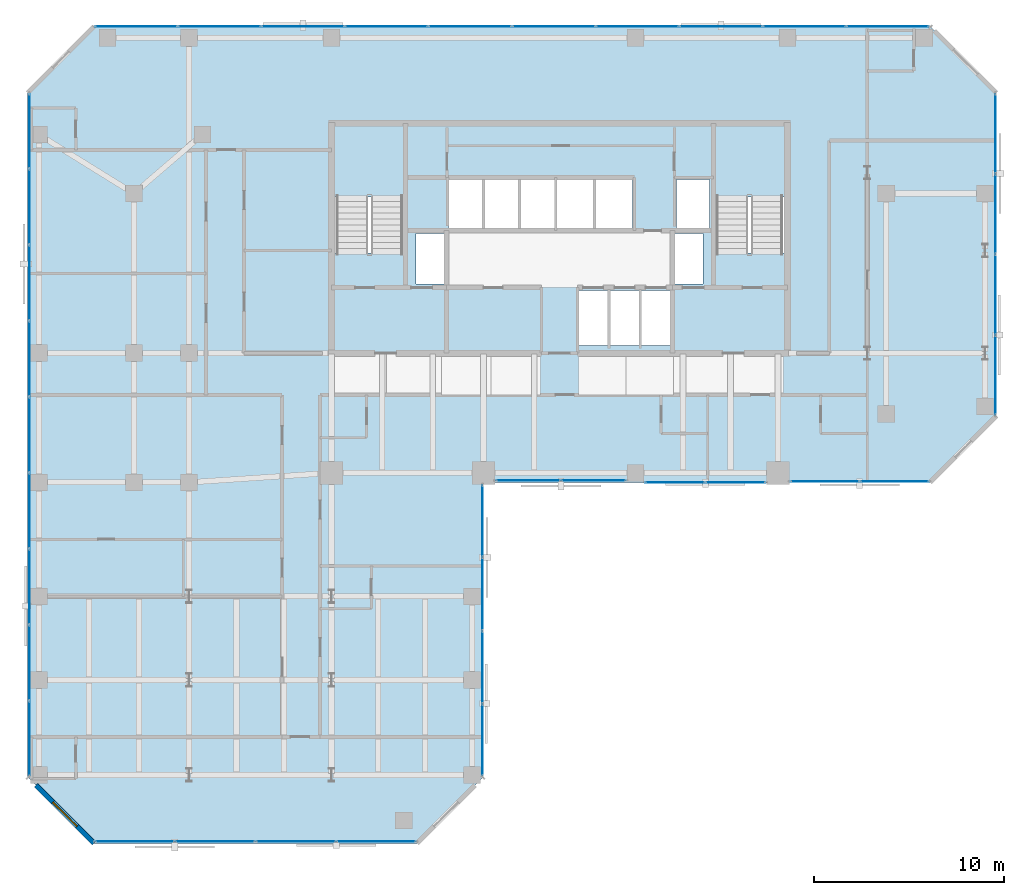
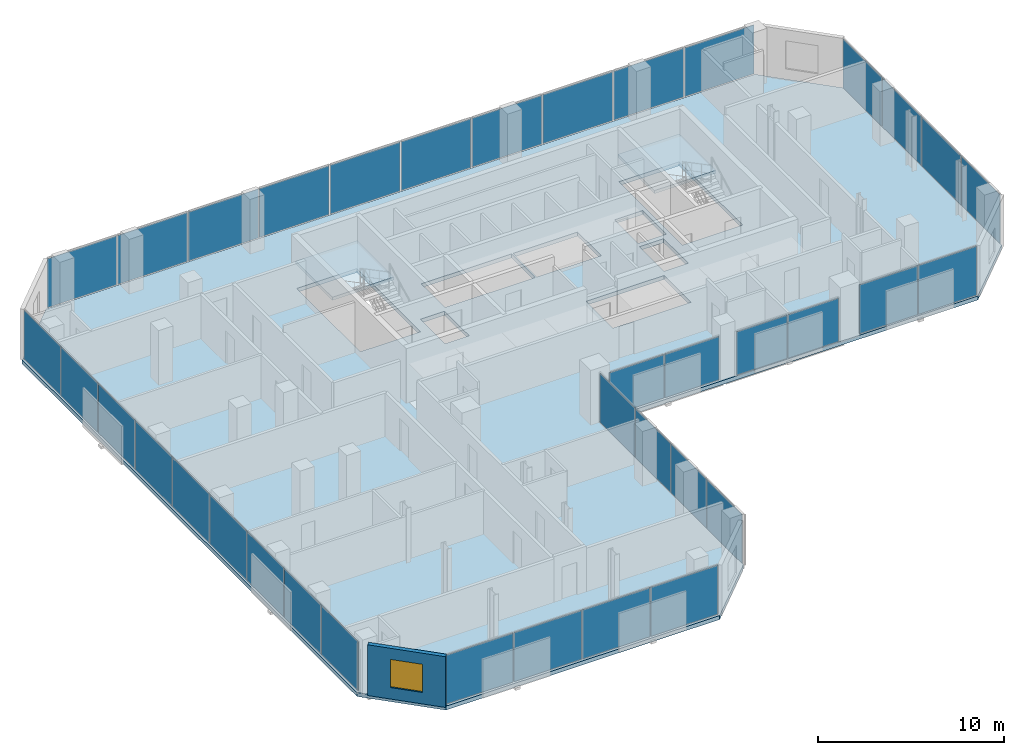
# One storey, part 27 of 33: 37 plates, 3 slabs, 1 wall, 1 window, 1 opening, 10 elements without a shape of their own.
"""IFC4 building model written with IfcOpenShell, lengths in metres."""

from ifc_helpers import new_model, si_unit, direction, frame, frame_2d, origin, origin_2d, place, context, subcontext, project, spatial, polyline, rectangle, outline, extrude, material, layer, layer_set, type_object, element, fill, aggregate, save


model = new_model("IFC4")

# Units and contexts
model_context = context("Model", 3, precision=1e-05, world=origin(), true_north=direction((0.0, 1.0)))
body_context = subcontext(model_context, "Body", "Model", "MODEL_VIEW")
ifc_project = project(units=[si_unit("LENGTHUNIT", "METRE"), si_unit("AREAUNIT", "SQUARE_METRE"), si_unit("VOLUMEUNIT", "CUBIC_METRE"), si_unit("PLANEANGLEUNIT", "RADIAN"), si_unit("MASSUNIT", "GRAM", prefix="KILO")], contexts=[model_context])

# Site, building, storey
site_placement = place(None, origin())
site = spatial("IfcSite", under=ifc_project, at=site_placement, CompositionType="ELEMENT")
building_placement = place(site_placement, origin())
building = spatial("IfcBuilding", under=site, at=building_placement, Name="Catumbela Crestline Tower", CompositionType="ELEMENT")
storey_placement = place(building_placement, frame((0.0, 0.0, 108.0)))
storey = spatial("IfcBuildingStorey", under=building, at=storey_placement, Name="L27", CompositionType="ELEMENT", Elevation=108.0)

# Curtain wall, plates
ifc_material_1 = material(Name="Aluminium alloy AW-6060-T66", Category="aluminium")
ifc_layer_1 = layer(ifc_material_1, 0.18, Name="Aluminium alloy AW-6060-T66")
ifc_layer_set_1 = layer_set([ifc_layer_1], Name="Aluminium alloy AW-6060-T66")
curtain_wall_type = type_object("IfcCurtainWallType", Name="CWU-Z2", PredefinedType="USERDEFINED", material=ifc_layer_set_1)
curtain_wall_1_placement = place(storey_placement, origin())
curtain_wall_1 = element("IfcCurtainWall", 1, at=curtain_wall_1_placement, inside=storey, type_object=curtain_wall_type, Name="L27 Unitised Curtain Wall CW-L27-E0S1", ObjectType="UNITISED", PredefinedType="USERDEFINED")
ifc_material_2 = material(Name="Low-E laminated solar-control double glazing", Category="glass")
ifc_layer_2 = layer(ifc_material_2, 0.036, Name="Low-E laminated solar-control double glazing")
ifc_layer_set_2 = layer_set([ifc_layer_2], Name="Low-E laminated solar-control double glazing")
plate_type = type_object("IfcPlateType", Name="PNL-GLZ-Z2", PredefinedType="CURTAIN_PANEL", material=ifc_layer_set_2)
plate_1_placement = place(storey_placement, frame((5.6412, 5.1, 0.06), z_axis=(0.0, 0.0, 1.0), x_axis=(1.0, 0.0, 0.0)))
plate_1 = element("IfcPlate", 2, at=plate_1_placement, type_object=plate_type, Name="CWU-Z2 panel 1.1", PredefinedType="CURTAIN_PANEL", context=body_context, shape_type="SweptSolid", body=[
    extrude(rectangle(XDim=4.1525, YDim=0.034, at=origin_2d()), origin(), (0.0, 0.0, 1.0), 3.21),
])
plate_2_placement = place(storey_placement, frame((9.875, 5.1, 0.06), z_axis=(0.0, 0.0, 1.0), x_axis=(1.0, 0.0, 0.0)))
plate_2 = element("IfcPlate", 3, at=plate_2_placement, type_object=plate_type, Name="CWU-Z2 panel 2.1", PredefinedType="CURTAIN_PANEL", context=body_context, shape_type="SweptSolid", body=[
    extrude(rectangle(XDim=4.185, YDim=0.034, at=origin_2d()), origin(), (0.0, 0.0, 1.0), 3.21),
])
plate_3_placement = place(storey_placement, frame((14.125, 5.1, 0.06), z_axis=(0.0, 0.0, 1.0), x_axis=(1.0, 0.0, 0.0)))
plate_3 = element("IfcPlate", 4, at=plate_3_placement, type_object=plate_type, Name="CWU-Z2 panel 3.1", PredefinedType="CURTAIN_PANEL", context=body_context, shape_type="SweptSolid", body=[
    extrude(rectangle(XDim=4.185, YDim=0.034, at=origin_2d()), origin(), (0.0, 0.0, 1.0), 3.21),
])
plate_4_placement = place(storey_placement, frame((18.3588, 5.1, 0.06), z_axis=(0.0, 0.0, 1.0), x_axis=(1.0, 0.0, 0.0)))
plate_4 = element("IfcPlate", 5, at=plate_4_placement, type_object=plate_type, Name="CWU-Z2 panel 4.1", PredefinedType="CURTAIN_PANEL", context=body_context, shape_type="SweptSolid", body=[
    extrude(rectangle(XDim=4.1525, YDim=0.034, at=origin_2d()), origin(), (0.0, 0.0, 1.0), 3.21),
])
aggregate(curtain_wall_1, [plate_1, plate_2, plate_3, plate_4])

curtain_wall_2_placement = place(storey_placement, origin())
curtain_wall_2 = element("IfcCurtainWall", 6, at=curtain_wall_2_placement, inside=storey, type_object=curtain_wall_type, Name="L27 Unitised Curtain Wall CW-L27-E2S1", ObjectType="UNITISED", PredefinedType="USERDEFINED")
plate_5_placement = place(storey_placement, frame((23.95, 10.4412, 0.06), z_axis=(0.0, 0.0, 1.0), x_axis=(0.0, 1.0, 0.0)))
plate_5 = element("IfcPlate", 7, at=plate_5_placement, type_object=plate_type, Name="CWU-Z2 panel 1.1", PredefinedType="CURTAIN_PANEL", context=body_context, shape_type="SweptSolid", body=[
    extrude(rectangle(XDim=3.7525, YDim=0.034, at=origin_2d()), origin(), (0.0, 0.0, 1.0), 3.21),
])
plate_6_placement = place(storey_placement, frame((23.95, 14.275, 0.06), z_axis=(0.0, 0.0, 1.0), x_axis=(0.0, 1.0, 0.0)))
plate_6 = element("IfcPlate", 8, at=plate_6_placement, type_object=plate_type, Name="CWU-Z2 panel 2.1", PredefinedType="CURTAIN_PANEL", context=body_context, shape_type="SweptSolid", body=[
    extrude(rectangle(XDim=3.785, YDim=0.034, at=origin_2d()), origin(), (0.0, 0.0, 1.0), 3.21),
])
plate_7_placement = place(storey_placement, frame((23.95, 18.125, 0.06), z_axis=(0.0, 0.0, 1.0), x_axis=(0.0, 1.0, 0.0)))
plate_7 = element("IfcPlate", 9, at=plate_7_placement, type_object=plate_type, Name="CWU-Z2 panel 3.1", PredefinedType="CURTAIN_PANEL", context=body_context, shape_type="SweptSolid", body=[
    extrude(rectangle(XDim=3.785, YDim=0.034, at=origin_2d()), origin(), (0.0, 0.0, 1.0), 3.21),
])
plate_8_placement = place(storey_placement, frame((23.95, 21.9587, 0.06), z_axis=(0.0, 0.0, 1.0), x_axis=(0.0, 1.0, 0.0)))
plate_8 = element("IfcPlate", 10, at=plate_8_placement, type_object=plate_type, Name="CWU-Z2 panel 4.1", PredefinedType="CURTAIN_PANEL", context=body_context, shape_type="SweptSolid", body=[
    extrude(rectangle(XDim=3.7525, YDim=0.034, at=origin_2d()), origin(), (0.0, 0.0, 1.0), 3.21),
])
aggregate(curtain_wall_2, [plate_5, plate_6, plate_7, plate_8])

curtain_wall_3_placement = place(storey_placement, origin())
curtain_wall_3 = element("IfcCurtainWall", 11, at=curtain_wall_3_placement, inside=storey, type_object=curtain_wall_type, Name="L27 Unitised Curtain Wall CW-L27-E3S1", ObjectType="UNITISED", PredefinedType="USERDEFINED")
plate_9_placement = place(storey_placement, frame((26.3538, 24.1, 0.06), z_axis=(0.0, 0.0, 1.0), x_axis=(1.0, 0.0, 0.0)))
plate_9 = element("IfcPlate", 12, at=plate_9_placement, type_object=plate_type, Name="CWU-Z2 panel 1.1", PredefinedType="CURTAIN_PANEL", context=body_context, shape_type="SweptSolid", body=[
    extrude(rectangle(XDim=3.3775, YDim=0.034, at=origin_2d()), origin(), (0.0, 0.0, 1.0), 2.84),
])
plate_10_placement = place(storey_placement, frame((29.7962, 24.1, 0.06), z_axis=(0.0, 0.0, 1.0), x_axis=(1.0, 0.0, 0.0)))
plate_10 = element("IfcPlate", 13, at=plate_10_placement, type_object=plate_type, Name="CWU-Z2 panel 2.1", PredefinedType="CURTAIN_PANEL", context=body_context, shape_type="SweptSolid", body=[
    extrude(rectangle(XDim=3.3775, YDim=0.034, at=origin_2d()), origin(), (0.0, 0.0, 1.0), 2.84),
])
aggregate(curtain_wall_3, [plate_9, plate_10])

curtain_wall_4_placement = place(storey_placement, origin())
curtain_wall_4 = element("IfcCurtainWall", 14, at=curtain_wall_4_placement, inside=storey, type_object=curtain_wall_type, Name="L27 Unitised Curtain Wall CW-L27-E3S2", ObjectType="UNITISED", PredefinedType="USERDEFINED")
plate_11_placement = place(storey_placement, frame((34.0788, 24.0, 0.06), z_axis=(0.0, 0.0, 1.0), x_axis=(1.0, 0.0, 0.0)))
plate_11 = element("IfcPlate", 15, at=plate_11_placement, type_object=plate_type, Name="CWU-Z2 panel 1.1", PredefinedType="CURTAIN_PANEL", context=body_context, shape_type="SweptSolid", body=[
    extrude(rectangle(XDim=3.1275, YDim=0.034, at=origin_2d()), origin(), (0.0, 0.0, 1.0), 2.84),
])
plate_12_placement = place(storey_placement, frame((37.2712, 24.0, 0.06), z_axis=(0.0, 0.0, 1.0), x_axis=(1.0, 0.0, 0.0)))
plate_12 = element("IfcPlate", 16, at=plate_12_placement, type_object=plate_type, Name="CWU-Z2 panel 2.1", PredefinedType="CURTAIN_PANEL", context=body_context, shape_type="SweptSolid", body=[
    extrude(rectangle(XDim=3.1275, YDim=0.034, at=origin_2d()), origin(), (0.0, 0.0, 1.0), 2.84),
])
aggregate(curtain_wall_4, [plate_11, plate_12])

curtain_wall_5_placement = place(storey_placement, origin())
curtain_wall_5 = element("IfcCurtainWall", 17, at=curtain_wall_5_placement, inside=storey, type_object=curtain_wall_type, Name="L27 Unitised Curtain Wall CW-L27-E3S3", ObjectType="UNITISED", PredefinedType="USERDEFINED")
plate_13_placement = place(storey_placement, frame((41.9662, 24.05, 0.06), z_axis=(0.0, 0.0, 1.0), x_axis=(1.0, 0.0, 0.0)))
plate_13 = element("IfcPlate", 18, at=plate_13_placement, type_object=plate_type, Name="CWU-Z2 panel 1.1", PredefinedType="CURTAIN_PANEL", context=body_context, shape_type="SweptSolid", body=[
    extrude(rectangle(XDim=3.6025, YDim=0.034, at=origin_2d()), origin(), (0.0, 0.0, 1.0), 3.21),
])
plate_14_placement = place(storey_placement, frame((45.6338, 24.05, 0.06), z_axis=(0.0, 0.0, 1.0), x_axis=(1.0, 0.0, 0.0)))
plate_14 = element("IfcPlate", 19, at=plate_14_placement, type_object=plate_type, Name="CWU-Z2 panel 2.1", PredefinedType="CURTAIN_PANEL", context=body_context, shape_type="SweptSolid", body=[
    extrude(rectangle(XDim=3.6025, YDim=0.034, at=origin_2d()), origin(), (0.0, 0.0, 1.0), 3.21),
])
aggregate(curtain_wall_5, [plate_13, plate_14])

curtain_wall_6_placement = place(storey_placement, origin())
curtain_wall_6 = element("IfcCurtainWall", 20, at=curtain_wall_6_placement, inside=storey, type_object=curtain_wall_type, Name="L27 Unitised Curtain Wall CW-L27-E5S1", ObjectType="UNITISED", PredefinedType="USERDEFINED")
plate_15_placement = place(storey_placement, frame((50.95, 29.6412, 0.06), z_axis=(0.0, 0.0, 1.0), x_axis=(0.0, 1.0, 0.0)))
plate_15 = element("IfcPlate", 21, at=plate_15_placement, type_object=plate_type, Name="CWU-Z2 panel 1.1", PredefinedType="CURTAIN_PANEL", context=body_context, shape_type="SweptSolid", body=[
    extrude(rectangle(XDim=4.1525, YDim=0.034, at=origin_2d()), origin(), (0.0, 0.0, 1.0), 3.21),
])
plate_16_placement = place(storey_placement, frame((50.95, 33.875, 0.06), z_axis=(0.0, 0.0, 1.0), x_axis=(0.0, 1.0, 0.0)))
plate_16 = element("IfcPlate", 22, at=plate_16_placement, type_object=plate_type, Name="CWU-Z2 panel 2.1", PredefinedType="CURTAIN_PANEL", context=body_context, shape_type="SweptSolid", body=[
    extrude(rectangle(XDim=4.185, YDim=0.034, at=origin_2d()), origin(), (0.0, 0.0, 1.0), 3.21),
])
plate_17_placement = place(storey_placement, frame((50.95, 38.125, 0.06), z_axis=(0.0, 0.0, 1.0), x_axis=(0.0, 1.0, 0.0)))
plate_17 = element("IfcPlate", 23, at=plate_17_placement, type_object=plate_type, Name="CWU-Z2 panel 3.1", PredefinedType="CURTAIN_PANEL", context=body_context, shape_type="SweptSolid", body=[
    extrude(rectangle(XDim=4.185, YDim=0.034, at=origin_2d()), origin(), (0.0, 0.0, 1.0), 3.21),
])
plate_18_placement = place(storey_placement, frame((50.95, 42.3588, 0.06), z_axis=(0.0, 0.0, 1.0), x_axis=(0.0, 1.0, 0.0)))
plate_18 = element("IfcPlate", 24, at=plate_18_placement, type_object=plate_type, Name="CWU-Z2 panel 4.1", PredefinedType="CURTAIN_PANEL", context=body_context, shape_type="SweptSolid", body=[
    extrude(rectangle(XDim=4.1525, YDim=0.034, at=origin_2d()), origin(), (0.0, 0.0, 1.0), 3.21),
])
aggregate(curtain_wall_6, [plate_15, plate_16, plate_17, plate_18])

curtain_wall_7_placement = place(storey_placement, origin())
curtain_wall_7 = element("IfcCurtainWall", 25, at=curtain_wall_7_placement, inside=storey, type_object=curtain_wall_type, Name="L27 Unitised Curtain Wall CW-L27-E7S1", ObjectType="UNITISED", PredefinedType="USERDEFINED")
plate_19_placement = place(storey_placement, frame((45.2838, 48.0, 0.06), z_axis=(0.0, 0.0, 1.0), x_axis=(-1.0, 0.0, 0.0)))
plate_19 = element("IfcPlate", 26, at=plate_19_placement, type_object=plate_type, Name="CWU-Z2 panel 1.1", PredefinedType="CURTAIN_PANEL", context=body_context, shape_type="SweptSolid", body=[
    extrude(rectangle(XDim=4.3025, YDim=0.034, at=origin_2d()), origin(), (0.0, 0.0, 1.0), 3.21),
])
plate_20_placement = place(storey_placement, frame((40.9, 48.0, 0.06), z_axis=(0.0, 0.0, 1.0), x_axis=(-1.0, 0.0, 0.0)))
plate_20 = element("IfcPlate", 27, at=plate_20_placement, type_object=plate_type, Name="CWU-Z2 panel 2.1", PredefinedType="CURTAIN_PANEL", context=body_context, shape_type="SweptSolid", body=[
    extrude(rectangle(XDim=4.335, YDim=0.034, at=origin_2d()), origin(), (0.0, 0.0, 1.0), 3.21),
])
plate_21_placement = place(storey_placement, frame((36.5, 48.0, 0.06), z_axis=(0.0, 0.0, 1.0), x_axis=(-1.0, 0.0, 0.0)))
plate_21 = element("IfcPlate", 28, at=plate_21_placement, type_object=plate_type, Name="CWU-Z2 panel 3.1", PredefinedType="CURTAIN_PANEL", context=body_context, shape_type="SweptSolid", body=[
    extrude(rectangle(XDim=4.335, YDim=0.034, at=origin_2d()), origin(), (0.0, 0.0, 1.0), 3.21),
])
plate_22_placement = place(storey_placement, frame((32.1, 48.0, 0.06), z_axis=(0.0, 0.0, 1.0), x_axis=(-1.0, 0.0, 0.0)))
plate_22 = element("IfcPlate", 29, at=plate_22_placement, type_object=plate_type, Name="CWU-Z2 panel 4.1", PredefinedType="CURTAIN_PANEL", context=body_context, shape_type="SweptSolid", body=[
    extrude(rectangle(XDim=4.335, YDim=0.034, at=origin_2d()), origin(), (0.0, 0.0, 1.0), 3.21),
])
plate_23_placement = place(storey_placement, frame((27.7, 48.0, 0.06), z_axis=(0.0, 0.0, 1.0), x_axis=(-1.0, 0.0, 0.0)))
plate_23 = element("IfcPlate", 30, at=plate_23_placement, type_object=plate_type, Name="CWU-Z2 panel 5.1", PredefinedType="CURTAIN_PANEL", context=body_context, shape_type="SweptSolid", body=[
    extrude(rectangle(XDim=4.335, YDim=0.034, at=origin_2d()), origin(), (0.0, 0.0, 1.0), 3.21),
])
plate_24_placement = place(storey_placement, frame((23.3, 48.0, 0.06), z_axis=(0.0, 0.0, 1.0), x_axis=(-1.0, 0.0, 0.0)))
plate_24 = element("IfcPlate", 31, at=plate_24_placement, type_object=plate_type, Name="CWU-Z2 panel 6.1", PredefinedType="CURTAIN_PANEL", context=body_context, shape_type="SweptSolid", body=[
    extrude(rectangle(XDim=4.335, YDim=0.034, at=origin_2d()), origin(), (0.0, 0.0, 1.0), 3.21),
])
plate_25_placement = place(storey_placement, frame((18.9, 48.0, 0.06), z_axis=(0.0, 0.0, 1.0), x_axis=(-1.0, 0.0, 0.0)))
plate_25 = element("IfcPlate", 32, at=plate_25_placement, type_object=plate_type, Name="CWU-Z2 panel 7.1", PredefinedType="CURTAIN_PANEL", context=body_context, shape_type="SweptSolid", body=[
    extrude(rectangle(XDim=4.335, YDim=0.034, at=origin_2d()), origin(), (0.0, 0.0, 1.0), 3.21),
])
plate_26_placement = place(storey_placement, frame((14.5, 48.0, 0.06), z_axis=(0.0, 0.0, 1.0), x_axis=(-1.0, 0.0, 0.0)))
plate_26 = element("IfcPlate", 33, at=plate_26_placement, type_object=plate_type, Name="CWU-Z2 panel 8.1", PredefinedType="CURTAIN_PANEL", context=body_context, shape_type="SweptSolid", body=[
    extrude(rectangle(XDim=4.335, YDim=0.034, at=origin_2d()), origin(), (0.0, 0.0, 1.0), 3.21),
])
plate_27_placement = place(storey_placement, frame((10.1, 48.0, 0.06), z_axis=(0.0, 0.0, 1.0), x_axis=(-1.0, 0.0, 0.0)))
plate_27 = element("IfcPlate", 34, at=plate_27_placement, type_object=plate_type, Name="CWU-Z2 panel 9.1", PredefinedType="CURTAIN_PANEL", context=body_context, shape_type="SweptSolid", body=[
    extrude(rectangle(XDim=4.335, YDim=0.034, at=origin_2d()), origin(), (0.0, 0.0, 1.0), 3.21),
])
plate_28_placement = place(storey_placement, frame((5.7162, 48.0, 0.06), z_axis=(0.0, 0.0, 1.0), x_axis=(-1.0, 0.0, 0.0)))
plate_28 = element("IfcPlate", 35, at=plate_28_placement, type_object=plate_type, Name="CWU-Z2 panel 10.1", PredefinedType="CURTAIN_PANEL", context=body_context, shape_type="SweptSolid", body=[
    extrude(rectangle(XDim=4.3025, YDim=0.034, at=origin_2d()), origin(), (0.0, 0.0, 1.0), 3.21),
])
aggregate(curtain_wall_7, [plate_19, plate_20, plate_21, plate_22, plate_23, plate_24, plate_25, plate_26, plate_27, plate_28])

curtain_wall_8_placement = place(storey_placement, origin())
curtain_wall_8 = element("IfcCurtainWall", 36, at=curtain_wall_8_placement, inside=storey, type_object=curtain_wall_type, Name="L27 Unitised Curtain Wall CW-L27-E9S1", ObjectType="UNITISED", PredefinedType="USERDEFINED")
plate_29_placement = place(storey_placement, frame((0.1, 42.4838, 0.06), z_axis=(0.0, 0.0, 1.0), x_axis=(0.0, -1.0, 0.0)))
plate_29 = element("IfcPlate", 37, at=plate_29_placement, type_object=plate_type, Name="CWU-Z2 panel 1.1", PredefinedType="CURTAIN_PANEL", context=body_context, shape_type="SweptSolid", body=[
    extrude(rectangle(XDim=3.9025, YDim=0.034, at=origin_2d()), origin(), (0.0, 0.0, 1.0), 3.21),
])
plate_30_placement = place(storey_placement, frame((0.1, 38.5, 0.06), z_axis=(0.0, 0.0, 1.0), x_axis=(0.0, -1.0, 0.0)))
plate_30 = element("IfcPlate", 38, at=plate_30_placement, type_object=plate_type, Name="CWU-Z2 panel 2.1", PredefinedType="CURTAIN_PANEL", context=body_context, shape_type="SweptSolid", body=[
    extrude(rectangle(XDim=3.935, YDim=0.034, at=origin_2d()), origin(), (0.0, 0.0, 1.0), 3.21),
])
plate_31_placement = place(storey_placement, frame((0.1, 34.5, 0.06), z_axis=(0.0, 0.0, 1.0), x_axis=(0.0, -1.0, 0.0)))
plate_31 = element("IfcPlate", 39, at=plate_31_placement, type_object=plate_type, Name="CWU-Z2 panel 3.1", PredefinedType="CURTAIN_PANEL", context=body_context, shape_type="SweptSolid", body=[
    extrude(rectangle(XDim=3.935, YDim=0.034, at=origin_2d()), origin(), (0.0, 0.0, 1.0), 3.21),
])
plate_32_placement = place(storey_placement, frame((0.1, 30.5, 0.06), z_axis=(0.0, 0.0, 1.0), x_axis=(0.0, -1.0, 0.0)))
plate_32 = element("IfcPlate", 40, at=plate_32_placement, type_object=plate_type, Name="CWU-Z2 panel 4.1", PredefinedType="CURTAIN_PANEL", context=body_context, shape_type="SweptSolid", body=[
    extrude(rectangle(XDim=3.935, YDim=0.034, at=origin_2d()), origin(), (0.0, 0.0, 1.0), 3.21),
])
plate_33_placement = place(storey_placement, frame((0.1, 26.5, 0.06), z_axis=(0.0, 0.0, 1.0), x_axis=(0.0, -1.0, 0.0)))
plate_33 = element("IfcPlate", 41, at=plate_33_placement, type_object=plate_type, Name="CWU-Z2 panel 5.1", PredefinedType="CURTAIN_PANEL", context=body_context, shape_type="SweptSolid", body=[
    extrude(rectangle(XDim=3.935, YDim=0.034, at=origin_2d()), origin(), (0.0, 0.0, 1.0), 3.21),
])
plate_34_placement = place(storey_placement, frame((0.1, 22.5, 0.06), z_axis=(0.0, 0.0, 1.0), x_axis=(0.0, -1.0, 0.0)))
plate_34 = element("IfcPlate", 42, at=plate_34_placement, type_object=plate_type, Name="CWU-Z2 panel 6.1", PredefinedType="CURTAIN_PANEL", context=body_context, shape_type="SweptSolid", body=[
    extrude(rectangle(XDim=3.935, YDim=0.034, at=origin_2d()), origin(), (0.0, 0.0, 1.0), 3.21),
])
plate_35_placement = place(storey_placement, frame((0.1, 18.5, 0.06), z_axis=(0.0, 0.0, 1.0), x_axis=(0.0, -1.0, 0.0)))
plate_35 = element("IfcPlate", 43, at=plate_35_placement, type_object=plate_type, Name="CWU-Z2 panel 7.1", PredefinedType="CURTAIN_PANEL", context=body_context, shape_type="SweptSolid", body=[
    extrude(rectangle(XDim=3.935, YDim=0.034, at=origin_2d()), origin(), (0.0, 0.0, 1.0), 3.21),
])
plate_36_placement = place(storey_placement, frame((0.1, 14.5, 0.06), z_axis=(0.0, 0.0, 1.0), x_axis=(0.0, -1.0, 0.0)))
plate_36 = element("IfcPlate", 44, at=plate_36_placement, type_object=plate_type, Name="CWU-Z2 panel 8.1", PredefinedType="CURTAIN_PANEL", context=body_context, shape_type="SweptSolid", body=[
    extrude(rectangle(XDim=3.935, YDim=0.034, at=origin_2d()), origin(), (0.0, 0.0, 1.0), 3.21),
])
plate_37_placement = place(storey_placement, frame((0.1, 10.5162, 0.06), z_axis=(0.0, 0.0, 1.0), x_axis=(0.0, -1.0, 0.0)))
plate_37 = element("IfcPlate", 45, at=plate_37_placement, type_object=plate_type, Name="CWU-Z2 panel 9.1", PredefinedType="CURTAIN_PANEL", context=body_context, shape_type="SweptSolid", body=[
    extrude(rectangle(XDim=3.9025, YDim=0.034, at=origin_2d()), origin(), (0.0, 0.0, 1.0), 3.21),
])
aggregate(curtain_wall_8, [plate_29, plate_30, plate_31, plate_32, plate_33, plate_34, plate_35, plate_36, plate_37])

# Stair, slab
ifc_material_3 = material(Name="Concrete C45/55", Category="concrete")
stair_type = type_object("IfcStairType", Name="ST-DLG", PredefinedType="HALF_TURN_STAIR", material=ifc_material_3)
stair_1_placement = place(storey_placement, origin())
stair_1 = element("IfcStair", 46, at=stair_1_placement, inside=storey, type_object=stair_type, Name="L27 West Core Pressurised Exit Stair ST-01", PredefinedType="HALF_TURN_STAIR")
ifc_layer_3 = layer(ifc_material_3, 0.2, Name="Concrete C45/55")
ifc_layer_set_3 = layer_set([ifc_layer_3], Name="Concrete C45/55")
slab_type_1 = type_object("IfcSlabType", Name="SL-LND", PredefinedType="LANDING", material=ifc_layer_set_3)
slab_1_placement = place(storey_placement, frame((0.0, 0.0, 1.6)))
slab_1 = element("IfcSlab", 47, at=slab_1_placement, type_object=slab_type_1, Name="ST-01 landing 1", PredefinedType="LANDING", context=body_context, shape_type="SweptSolid", body=[
    extrude(outline(polyline([(19.91, 39.02), (19.91, 42.96), (16.09, 42.96), (16.09, 39.02), (19.91, 39.02)])), origin(), (0.0, 0.0, 1.0), 0.2),
])
aggregate(stair_1, [slab_1])

stair_2_placement = place(storey_placement, origin())
stair_2 = element("IfcStair", 48, at=stair_2_placement, inside=storey, type_object=stair_type, Name="L27 East Core Pressurised Exit Stair ST-02", PredefinedType="HALF_TURN_STAIR")
slab_2_placement = place(storey_placement, frame((0.0, 0.0, 1.6)))
slab_2 = element("IfcSlab", 49, at=slab_2_placement, type_object=slab_type_1, Name="ST-02 landing 1", PredefinedType="LANDING", context=body_context, shape_type="SweptSolid", body=[
    extrude(outline(polyline([(39.91, 39.02), (39.91, 42.96), (36.09, 42.96), (36.09, 39.02), (39.91, 39.02)])), origin(), (0.0, 0.0, 1.0), 0.2),
])
aggregate(stair_2, [slab_2])

# Slab
ifc_layer_4 = layer(ifc_material_3, 0.26, Name="Concrete C45/55")
ifc_layer_set_4 = layer_set([ifc_layer_4], Name="Concrete C45/55")
slab_type_2 = type_object("IfcSlabType", Name="SL-260", PredefinedType="FLOOR", material=ifc_layer_set_4)
slab_3_placement = place(storey_placement, frame((0.0, 0.0, -0.26)))
element("IfcSlab", 50, at=slab_3_placement, inside=storey, type_object=slab_type_2, Name="L27 Structural Floor Slab", PredefinedType="FLOOR", context=body_context, shape_type="SweptSolid", body=[
    extrude(outline(polyline([(3.5, 5.0), (20.5, 5.0), (24.0, 8.5), (24.0, 24.0), (47.5, 24.0), (51.0, 27.5), (51.0, 44.5), (47.5, 48.0), (3.5, 48.0), (0.0, 44.5), (0.0, 8.5), (3.5, 5.0)]), holes=[polyline([(16.13, 36.08), (19.87, 36.08), (19.87, 42.92), (16.13, 42.92), (16.13, 36.08)]), polyline([(36.13, 36.08), (39.87, 36.08), (39.87, 42.92), (36.13, 42.92), (36.13, 36.08)]), polyline([(29.0, 31.2), (33.85, 31.2), (33.85, 34.1), (29.0, 34.1), (29.0, 31.2)]), polyline([(22.15, 37.4), (27.75, 37.4), (27.75, 39.95), (22.15, 39.95), (22.15, 37.4)]), polyline([(27.85, 37.4), (31.85, 37.4), (31.85, 39.95), (27.85, 39.95), (27.85, 37.4)]), polyline([(20.45, 34.45), (21.95, 34.45), (21.95, 37.1), (20.45, 37.1), (20.45, 34.45)]), polyline([(34.05, 34.45), (35.55, 34.45), (35.55, 37.1), (34.05, 37.1), (34.05, 34.45)]), polyline([(34.15, 37.4), (35.9, 37.4), (35.9, 39.95), (34.15, 39.95), (34.15, 37.4)])]), origin(), (0.0, 0.0, 1.0), 0.26),
])

# Wall, opening, window
ifc_material_4 = material(Name="Angolan grey-ochre granite", Category="masonry")
ifc_layer_5 = layer(ifc_material_4, 0.25, Name="Angolan grey-ochre granite")
ifc_layer_set_5 = layer_set([ifc_layer_5], Name="Angolan grey-ochre granite")
wall_type = type_object("IfcWallType", Name="WE-250", PredefinedType="STANDARD", material=ifc_layer_set_5)
wall_placement = place(storey_placement, frame((0.4384, 8.0616, 0.0), z_axis=(0.0, 0.0, 1.0), x_axis=(0.707106781187, -0.707106781187, 0.0)))
wall = element("IfcWall", 51, at=wall_placement, inside=storey, type_object=wall_type, Name="L27 Granite Punched Window Wall 10-2", PredefinedType="STANDARD", context=body_context, shape_type="SweptSolid", body=[
    extrude(rectangle(XDim=4.3298, YDim=0.25, at=frame_2d((2.1649, 0.0))), origin(), (0.0, 0.0, 1.0), 3.33),
])
opening_placement = place(wall_placement, frame((1.2649, 0.0, 0.75)))
opening = element("IfcOpeningElement", 52, at=opening_placement, cuts=wall, Name="Opening WN-01", PredefinedType="OPENING", context=body_context, shape_type="SweptSolid", body=[
    extrude(rectangle(XDim=1.8, YDim=1.85, at=frame_2d((0.9, 0.925))), frame((0.0, 0.135, 0.0), z_axis=(0.0, -1.0, 0.0), x_axis=(1.0, 0.0, 0.0)), (0.0, 0.0, 1.0), 0.27),
])
window_type = type_object("IfcWindowType", Name="WF-1800", PartitioningType="SINGLE_PANEL", PredefinedType="WINDOW", material=ifc_material_2)
window_placement = place(opening_placement, origin())
window = element("IfcWindow", 53, at=window_placement, inside=storey, type_object=window_type, Name="L27 Facade Vision Window 159", OverallHeight=1.85, OverallWidth=1.8, PartitioningType="SINGLE_PANEL", PredefinedType="WINDOW", context=body_context, shape_type="SweptSolid", body=[
    extrude(rectangle(XDim=1.8, YDim=1.85, at=frame_2d((0.9, 0.925))), frame((0.0, 0.03, 0.0), z_axis=(0.0, -1.0, 0.0), x_axis=(1.0, 0.0, 0.0)), (0.0, 0.0, 1.0), 0.06),
])
fill(opening, window)

save(model, "model.ifc")
